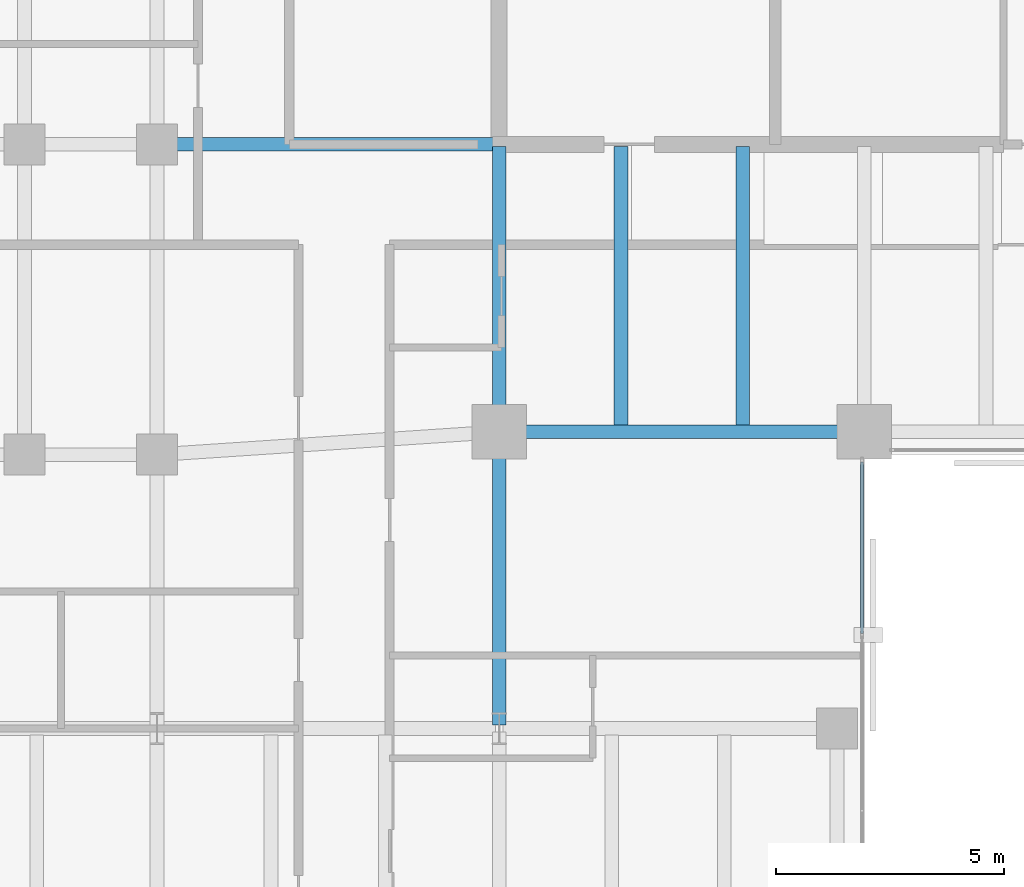
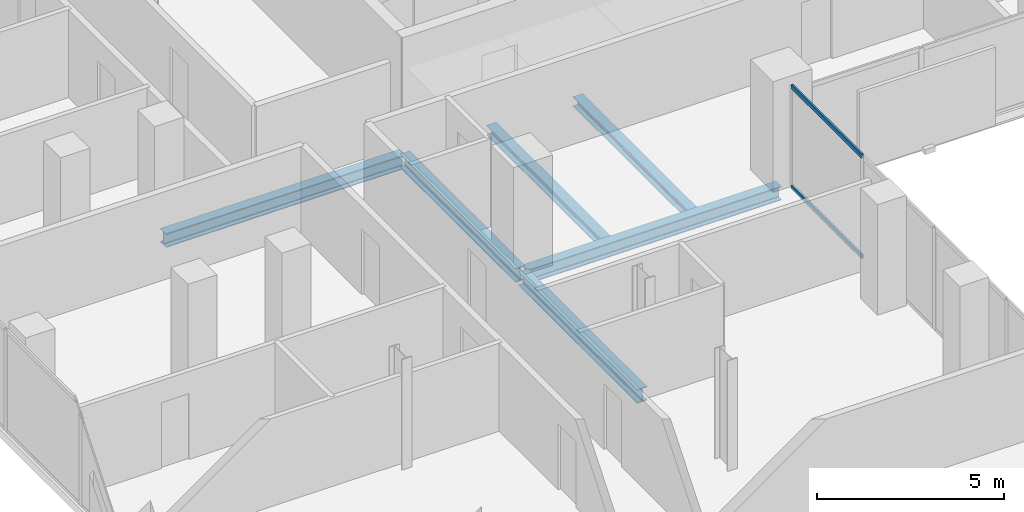
# One storey, part 12 of 34: 6 beams, 2 members, 1 element without a shape of its own.
"""IFC4 building model written with IfcOpenShell, lengths in metres."""

import ifcopenshell
import ifcopenshell.guid

model = None  # the IFC model being written
_history = None  # IfcOwnerHistory: only IFC2X3 demands one
_inside = {}  # id of a spatial element -> (the spatial element, [elements in it])
_under = {}  # id of a project, library or spatial element -> (it, [spatial elements below it])
_declared = {}  # id of a project -> (the project, [libraries it declares])
_typed = {}  # id of a type object -> (the type object, [elements of that type])
_made_of = {}  # id of a material, layer set ... -> (it, [elements and type objects made of it])


def new_model(schema):
    """Start an empty IFC model of exactly this schema.

    Asked for "IFC4X3", IfcOpenShell would pick the latest addendum, in which some entities
    have other attributes; the version numbers below select the first issue.
    IFC2X3 requires an IfcOwnerHistory on every rooted entity: one is made here for all.
    """
    global model, _history
    if schema == "IFC4X3":
        model = ifcopenshell.file(schema_version=(4, 3, 0, 0))
    else:
        model = ifcopenshell.file(schema=schema)
    _inside.clear()
    _under.clear()
    _declared.clear()
    _typed.clear()
    _made_of.clear()
    _history = None
    if model.schema == "IFC2X3":
        org = make("IfcOrganization", Name="unknown")
        user = make(
            "IfcPersonAndOrganization",
            ThePerson=make("IfcPerson", FamilyName="unknown"),
            TheOrganization=org,
        )
        app = make(
            "IfcApplication",
            ApplicationDeveloper=org,
            Version="unknown",
            ApplicationFullName="unknown",
            ApplicationIdentifier="unknown",
        )
        _history = make(
            "IfcOwnerHistory",
            OwningUser=user,
            OwningApplication=app,
            ChangeAction="ADDED",
            CreationDate=0,
        )
    return model


def make(cls, **values):
    """One entity of the class cls with the attributes given. An attribute that is None is left unset."""
    return model.create_entity(
        cls, **{name: value for name, value in values.items() if value is not None}
    )


def rooted(cls, **values):
    """An entity with a GlobalId (a new one), such as an element, a storey or a relation."""
    return make(cls, GlobalId=ifcopenshell.guid.new(), OwnerHistory=_history, **values)


def si_unit(unit_type, name, prefix=None):
    """IfcSIUnit, for example si_unit("LENGTHUNIT", "METRE", prefix="MILLI")."""
    return make("IfcSIUnit", UnitType=unit_type, Prefix=prefix, Name=name)


def assignment(units):
    """IfcUnitAssignment: the units of a project."""
    return None if units is None else make("IfcUnitAssignment", Units=units)


def point(xyz):
    """IfcCartesianPoint."""
    return None if xyz is None else make("IfcCartesianPoint", Coordinates=xyz)


def direction(xyz):
    """IfcDirection."""
    return None if xyz is None else make("IfcDirection", DirectionRatios=xyz)


def frame(location, z_axis=None, x_axis=None):
    """IfcAxis2Placement3D, a coordinate frame: its origin and axes. An axis left out is left unset."""
    return make(
        "IfcAxis2Placement3D",
        Location=point(location),
        Axis=direction(z_axis),
        RefDirection=direction(x_axis),
    )


def frame_2d(location, x_axis=None):
    """IfcAxis2Placement2D, a coordinate frame in the plane: its origin and x axis."""
    return make(
        "IfcAxis2Placement2D", Location=point(location), RefDirection=direction(x_axis)
    )


def origin():
    """The frame at (0, 0, 0) with its axes left unset."""
    return frame((0.0, 0.0, 0.0))


def origin_2d():
    """The frame at (0, 0) in the plane with its x axis left unset."""
    return frame_2d((0.0, 0.0))


def place(relative_to, where):
    """IfcLocalPlacement: puts the frame where relative to a parent placement (None: the world)."""
    return make(
        "IfcLocalPlacement", PlacementRelTo=relative_to, RelativePlacement=where
    )


def context(
    kind, dimensions, precision=None, world=None, true_north=None, identifier=None
):
    """IfcGeometricRepresentationContext, for example the 3D "Model" context."""
    return make(
        "IfcGeometricRepresentationContext",
        ContextIdentifier=identifier,
        ContextType=kind,
        CoordinateSpaceDimension=dimensions,
        Precision=precision,
        WorldCoordinateSystem=world,
        TrueNorth=true_north,
    )


def subcontext(parent, identifier, kind, view, scale=None):
    """IfcGeometricRepresentationSubContext, for example "Body" below "Model"."""
    return make(
        "IfcGeometricRepresentationSubContext",
        ContextIdentifier=identifier,
        ContextType=kind,
        ParentContext=parent,
        TargetScale=scale,
        TargetView=view,
    )


def project(units=None, contexts=None):
    """IfcProject with its units and contexts."""
    return rooted(
        "IfcProject",
        Name="project",
        RepresentationContexts=contexts,
        UnitsInContext=assignment(units),
    )


def spatial(cls, under=None, at=None, **own):
    """A site, building, storey or space (cls), placed at a placement, below another one or the project."""
    s = rooted(cls, ObjectPlacement=at, **own)
    if under is not None:
        _under.setdefault(under.id(), (under, []))[1].append(s)
    return s


def profile(cls, at=None, kind="AREA", **sizes):
    """A parametric profile (cls). Its sizes go by their IFC names, for example OverallWidth=200.0."""
    return make(cls, ProfileType=kind, Position=at, **sizes)


def hollow_rectangle(**sizes):
    """IfcRectangleHollowProfileDef."""
    return profile("IfcRectangleHollowProfileDef", **sizes)


def i_section(**sizes):
    """IfcIShapeProfileDef."""
    return profile("IfcIShapeProfileDef", **sizes)


def extrude(swept, where, along, depth):
    """IfcExtrudedAreaSolid: the profile swept, set in the frame where, extruded along a direction by depth."""
    return make(
        "IfcExtrudedAreaSolid",
        SweptArea=swept,
        Position=where,
        ExtrudedDirection=direction(along),
        Depth=depth,
    )


def shape(context_of_items, identifier, shape_type, items):
    """IfcShapeRepresentation: the items that make up one representation, for example the "Body"."""
    return make(
        "IfcShapeRepresentation",
        ContextOfItems=context_of_items,
        RepresentationIdentifier=identifier,
        RepresentationType=shape_type,
        Items=items,
    )


def material(Name=None, Category=None):
    """IfcMaterial."""
    return make("IfcMaterial", Name=Name, Category=Category)


def layer(
    of_material, thickness, ventilated=None, Name=None, Category=None, Priority=None
):
    """IfcMaterialLayer: one layer of a wall or slab, of a material (None: an air gap)."""
    return make(
        "IfcMaterialLayer",
        Material=of_material,
        LayerThickness=thickness,
        IsVentilated=ventilated,
        Name=Name,
        Category=Category,
        Priority=Priority,
    )


def layer_set(layers, Name=None):
    """IfcMaterialLayerSet."""
    return make("IfcMaterialLayerSet", MaterialLayers=layers, LayerSetName=Name)


def material_profile(
    of_material, cross_section, Name=None, Category=None, Priority=None
):
    """IfcMaterialProfile: a cross section and its material."""
    return make(
        "IfcMaterialProfile",
        Name=Name,
        Material=of_material,
        Profile=cross_section,
        Priority=Priority,
        Category=Category,
    )


def profile_set(profiles, Name=None, composite=None):
    """IfcMaterialProfileSet."""
    return make(
        "IfcMaterialProfileSet",
        Name=Name,
        MaterialProfiles=profiles,
        CompositeProfile=composite,
    )


def made_of(thing, what):
    """Note that an element or type object is made of a material, layer set ...; save() writes the relation."""
    if what is not None:
        _made_of.setdefault(what.id(), (what, []))[1].append(thing)
    return thing


def type_object(cls, material=None, **own):
    """A type object (cls), such as IfcWallType, which elements share."""
    return made_of(rooted(cls, **own), material)


def element(
    cls,
    number,
    at=None,
    inside=None,
    cuts=None,
    type_object=None,
    material=None,
    context=None,
    identifier="Body",
    shape_type=None,
    held_by="IfcProductDefinitionShape",
    body=None,
    shapes=None,
    **own,
):
    """One element of the class cls, such as IfcWall. Its Tag is "e" and its number.

    at: its placement. inside: the storey or other place that contains it. cuts: it is an
    opening in that element (IfcRelVoidsElement). A single representation is given by context,
    identifier, shape_type and body (its items); several are given by shapes. held_by: the class
    of the entity that holds the representations. save() writes the other relations.
    """
    e = rooted(cls, Tag="e%d" % number, ObjectPlacement=at, **own)
    if body is not None:
        shapes = [shape(context, identifier, shape_type, body)]
    if shapes is not None:
        e.Representation = make(held_by, Representations=shapes)
    if inside is not None:
        _inside.setdefault(inside.id(), (inside, []))[1].append(e)
    if cuts is not None:
        rooted(
            "IfcRelVoidsElement", RelatingBuildingElement=cuts, RelatedOpeningElement=e
        )
    if type_object is not None:
        _typed.setdefault(type_object.id(), (type_object, []))[1].append(e)
    return made_of(e, material)


def aggregate(whole, parts):
    """IfcRelAggregates: a whole, such as a stair, and the parts it consists of."""
    return rooted("IfcRelAggregates", RelatingObject=whole, RelatedObjects=parts)


def save(model, path):
    """Write the relations noted so far, then the file.

    IfcRelAggregates (storeys below a building ...), IfcRelContainedInSpatialStructure (elements
    in a storey), IfcRelDefinesByType, IfcRelAssociatesMaterial and IfcRelDeclares: one each for
    every whole, place, type object, material and project.
    """
    for whole, parts in _under.values():
        aggregate(whole, parts)
    for where, things in _inside.values():
        rooted(
            "IfcRelContainedInSpatialStructure",
            RelatedElements=things,
            RelatingStructure=where,
        )
    for kind, things in _typed.values():
        rooted("IfcRelDefinesByType", RelatedObjects=things, RelatingType=kind)
    for what, things in _made_of.values():
        rooted("IfcRelAssociatesMaterial", RelatedObjects=things, RelatingMaterial=what)
    for by, libraries in _declared.values():
        rooted("IfcRelDeclares", RelatingContext=by, RelatedDefinitions=libraries)
    model.write(path)


model = new_model("IFC4")

# Units and contexts
model_context = context("Model", 3, precision=1e-05, world=origin(), true_north=direction((0.0, 1.0)))
body_context = subcontext(model_context, "Body", "Model", "MODEL_VIEW")
ifc_project = project(units=[si_unit("LENGTHUNIT", "METRE"), si_unit("AREAUNIT", "SQUARE_METRE"), si_unit("VOLUMEUNIT", "CUBIC_METRE"), si_unit("PLANEANGLEUNIT", "RADIAN"), si_unit("MASSUNIT", "GRAM", prefix="KILO")], contexts=[model_context])

# Site, building, storey
site_placement = place(None, origin())
site = spatial("IfcSite", under=ifc_project, at=site_placement, CompositionType="ELEMENT")
building_placement = place(site_placement, origin())
building = spatial("IfcBuilding", under=site, at=building_placement, Name="Catumbela Crestline Tower", CompositionType="ELEMENT")
storey_placement = place(building_placement, frame((0.0, 0.0, 111.6)))
storey = spatial("IfcBuildingStorey", under=building, at=storey_placement, Name="L28", CompositionType="ELEMENT", Elevation=111.6)

# Beams
ifc_material_1 = material(Name="Structural steel S355J2", Category="steel")
ifc_material_profile_1 = material_profile(ifc_material_1, i_section(OverallWidth=0.3, OverallDepth=0.45, WebThickness=0.014, FlangeThickness=0.026, FilletRadius=0.027, at=origin_2d()), Name="HEB 450")
ifc_profile_set_1 = profile_set([ifc_material_profile_1], Name="Structural steel S355J2")
beam_type_1 = type_object("IfcBeamType", Name="BG-HEB450", PredefinedType="BEAM", material=ifc_profile_set_1)
beam_1_placement = place(storey_placement, frame((16.08, 24.5, -0.485), z_axis=(1.0, 0.0, 0.0), x_axis=(0.0, 1.0, 0.0)))
element("IfcBeam", 1, at=beam_1_placement, inside=storey, type_object=beam_type_1, Name="L28 Beam BM-L28-S04", PredefinedType="BEAM", context=body_context, shape_type="SweptSolid", body=[
    extrude(i_section(OverallWidth=0.3, OverallDepth=0.45, WebThickness=0.014, FlangeThickness=0.026, FilletRadius=0.027, at=origin_2d()), origin(), (0.0, 0.0, 1.0), 7.84),
])
beam_2_placement = place(storey_placement, frame((8.58, 30.8, -0.485), z_axis=(1.0, 0.0, 0.0), x_axis=(0.0, 1.0, 0.0)))
element("IfcBeam", 2, at=beam_2_placement, inside=storey, type_object=beam_type_1, Name="L28 Beam BM-L28-M09", PredefinedType="BEAM", context=body_context, shape_type="SweptSolid", body=[
    extrude(i_section(OverallWidth=0.3, OverallDepth=0.45, WebThickness=0.014, FlangeThickness=0.026, FilletRadius=0.027, at=origin_2d()), origin(), (0.0, 0.0, 1.0), 7.37),
])
beam_3_placement = place(storey_placement, frame((16.0, 24.58, -0.485), z_axis=(0.0, 1.0, 0.0), x_axis=(-1.0, 0.0, 0.0)))
element("IfcBeam", 3, at=beam_3_placement, inside=storey, type_object=beam_type_1, Name="L28 Beam BM-L28-SNS28", PredefinedType="BEAM", context=body_context, shape_type="SweptSolid", body=[
    extrude(i_section(OverallWidth=0.3, OverallDepth=0.45, WebThickness=0.014, FlangeThickness=0.026, FilletRadius=0.027, at=origin_2d()), origin(), (0.0, 0.0, 1.0), 6.17),
])
beam_4_placement = place(storey_placement, frame((16.0, 18.08, -0.485), z_axis=(0.0, 1.0, 0.0), x_axis=(-1.0, 0.0, 0.0)))
element("IfcBeam", 4, at=beam_4_placement, inside=storey, type_object=beam_type_1, Name="L28 Beam BM-L28-WNS60", PredefinedType="BEAM", context=body_context, shape_type="SweptSolid", body=[
    extrude(i_section(OverallWidth=0.3, OverallDepth=0.45, WebThickness=0.014, FlangeThickness=0.026, FilletRadius=0.027, at=origin_2d()), origin(), (0.0, 0.0, 1.0), 6.34),
])
ifc_material_profile_2 = material_profile(ifc_material_1, i_section(OverallWidth=0.3, OverallDepth=0.31, WebThickness=0.009, FlangeThickness=0.0155, FilletRadius=0.027, at=origin_2d()), Name="HEA 320")
ifc_profile_set_2 = profile_set([ifc_material_profile_2], Name="Structural steel S355J2")
beam_type_2 = type_object("IfcBeamType", Name="BJ-HEA320", PredefinedType="JOIST", material=ifc_profile_set_2)
for number, where, z_axis, x_axis, name in (
    (5, (18.667, 24.647, -0.415), (0.0, 1.0, 0.0), (-1.0, 0.0, 0.0), "L28 Joist JS-L28-SP37"),
    (6, (21.333, 24.647, -0.415), (0.0, 1.0, 0.0), (-1.0, 0.0, 0.0), "L28 Joist JS-L28-SP38"),
):
    element("IfcBeam", number, at=place(storey_placement, frame(where, z_axis=z_axis, x_axis=x_axis)), inside=storey, type_object=beam_type_2, Name=name, PredefinedType="JOIST", context=body_context, shape_type="SweptSolid", body=[
        extrude(i_section(OverallWidth=0.3, OverallDepth=0.31, WebThickness=0.009, FlangeThickness=0.0155, FilletRadius=0.027, at=origin_2d()), origin(), (0.0, 0.0, 1.0), 6.103),
    ])

# Curtain wall, members
ifc_material_2 = material(Name="Aluminium alloy AW-6060-T66", Category="aluminium")
ifc_layer = layer(ifc_material_2, 0.18, Name="Aluminium alloy AW-6060-T66")
ifc_layer_set = layer_set([ifc_layer], Name="Aluminium alloy AW-6060-T66")
curtain_wall_type = type_object("IfcCurtainWallType", Name="CWU-Z2", PredefinedType="USERDEFINED", material=ifc_layer_set)
curtain_wall_placement = place(storey_placement, origin())
curtain_wall = element("IfcCurtainWall", 7, at=curtain_wall_placement, inside=storey, type_object=curtain_wall_type, Name="L28 Unitised Curtain Wall CW-L28-E2S1", ObjectType="UNITISED", PredefinedType="USERDEFINED")
ifc_material_profile_3 = material_profile(ifc_material_2, hollow_rectangle(XDim=0.06, YDim=0.14, WallThickness=0.004, at=origin_2d()), Name="ALU 140x60x4")
ifc_profile_set_3 = profile_set([ifc_material_profile_3], Name="Aluminium alloy AW-6060-T66")
member_type = type_object("IfcMemberType", Name="TRN-140X60", PredefinedType="USERDEFINED", material=ifc_profile_set_3)
member_1_placement = place(storey_placement, frame((23.95, 20.0825, 0.03), z_axis=(0.0, 1.0, 0.0), x_axis=(-1.0, 0.0, 0.0)))
member_1 = element("IfcMember", 8, at=member_1_placement, type_object=member_type, Name="CWU-Z2 transom 4.1", ObjectType="TRANSOM", PredefinedType="USERDEFINED", context=body_context, shape_type="SweptSolid", body=[
    extrude(hollow_rectangle(XDim=0.06, YDim=0.14, WallThickness=0.004, at=origin_2d()), origin(), (0.0, 0.0, 1.0), 3.7525),
])
member_2_placement = place(storey_placement, frame((23.95, 20.0825, 3.3), z_axis=(0.0, 1.0, 0.0), x_axis=(-1.0, 0.0, 0.0)))
member_2 = element("IfcMember", 9, at=member_2_placement, type_object=member_type, Name="CWU-Z2 transom 4.2", ObjectType="TRANSOM", PredefinedType="USERDEFINED", context=body_context, shape_type="SweptSolid", body=[
    extrude(hollow_rectangle(XDim=0.06, YDim=0.14, WallThickness=0.004, at=origin_2d()), origin(), (0.0, 0.0, 1.0), 3.7525),
])
aggregate(curtain_wall, [member_1, member_2])

save(model, "model.ifc")
